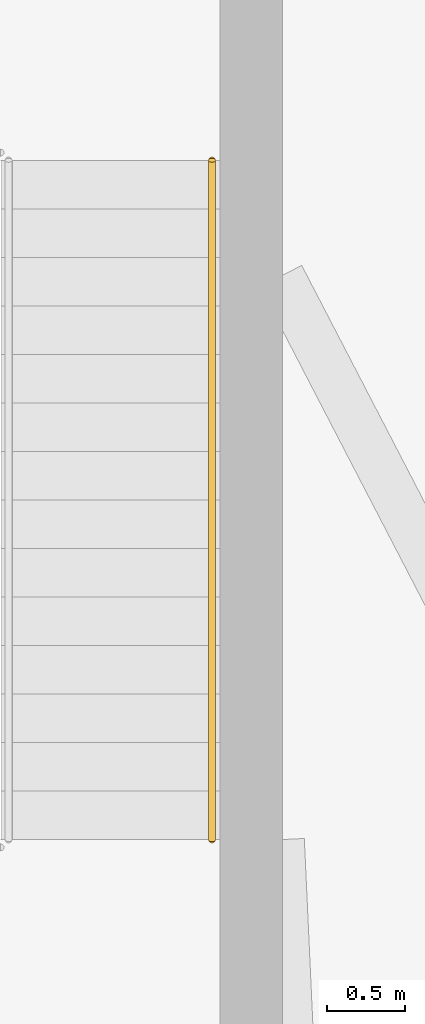
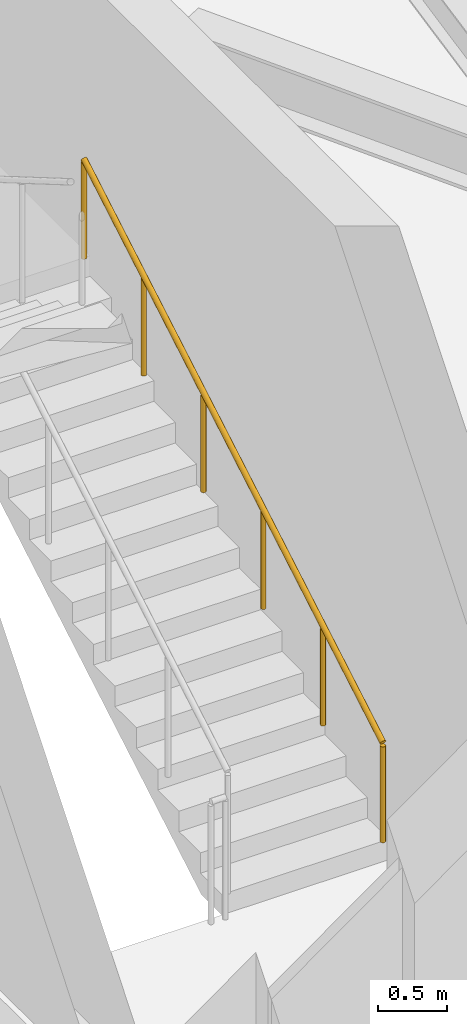
# One storey, part 10 of 10: 1 railing.
"""IFC4 building model written with IfcOpenShell, lengths in metres."""

from ifc_helpers import new_model, si_unit, direction, frame, origin, origin_2d, place, context, subcontext, project, spatial, circle, extrude, material, type_object, element, save


model = new_model("IFC4")

# Units and contexts
model_context = context("Model", 3, precision=1e-05, world=origin(), true_north=direction((0.0, 1.0)))
body_context = subcontext(model_context, "Body", "Model", "MODEL_VIEW")
ifc_project = project(units=[si_unit("LENGTHUNIT", "METRE"), si_unit("AREAUNIT", "SQUARE_METRE"), si_unit("VOLUMEUNIT", "CUBIC_METRE"), si_unit("PLANEANGLEUNIT", "RADIAN"), si_unit("MASSUNIT", "GRAM", prefix="KILO")], contexts=[model_context])

# Site, building, storey
site_placement = place(None, origin())
site = spatial("IfcSite", under=ifc_project, at=site_placement, CompositionType="ELEMENT")
building_placement = place(site_placement, origin())
building = spatial("IfcBuilding", under=site, at=building_placement, Name="Zarrinselat Tower", CompositionType="ELEMENT")
storey_placement = place(building_placement, frame((0.0, 0.0, 194.47998046875)))
storey = spatial("IfcBuildingStorey", under=building, at=storey_placement, Name="L48", CompositionType="ELEMENT", Elevation=194.47998046875)

# Railing
ifc_material = material(Name="Steel S355J2", Category="steel")
railing_type = type_object("IfcRailingType", Name="RLG-STAIR-HAND", PredefinedType="HANDRAIL", material=ifc_material)
railing_placement = place(storey_placement, frame((48.010009765625, 35.0, 0.181396484375)))
element("IfcRailing", 1, at=railing_placement, inside=storey, type_object=railing_type, Name="L48 ST-2 stair handrail 1", PredefinedType="HANDRAIL", context=body_context, shape_type="SweptSolid", body=[
    extrude(circle(Radius=0.02392578125, at=origin_2d()), frame((0.0, 0.0, 0.8759765625), z_axis=(0.0, 0.863184808233, 0.504888093379), x_axis=(-1.0, 0.0, 0.0)), (0.0, 0.0, 1.0), 5.028076171875),
    extrude(circle(Radius=0.02099609375, at=origin_2d()), origin(), (0.0, 0.0, 1.0), 0.849853515625),
    extrude(circle(Radius=0.02099609375, at=origin_2d()), frame((0.0, 0.867919921875, 0.5078125)), (0.0, 0.0, 1.0), 0.849853515625),
    extrude(circle(Radius=0.02099609375, at=origin_2d()), frame((0.0, 1.736083984375, 1.015380859375)), (0.0, 0.0, 1.0), 0.849853515625),
    extrude(circle(Radius=0.02099609375, at=origin_2d()), frame((0.0, 2.60400390625, 1.523193359375)), (0.0, 0.0, 1.0), 0.849853515625),
    extrude(circle(Radius=0.02099609375, at=origin_2d()), frame((0.0, 3.47216796875, 2.03076171875)), (0.0, 0.0, 1.0), 0.849853515625),
    extrude(circle(Radius=0.02099609375, at=origin_2d()), frame((0.0, 4.340087890625, 2.53857421875)), (0.0, 0.0, 1.0), 0.849853515625),
])

save(model, "model.ifc")
